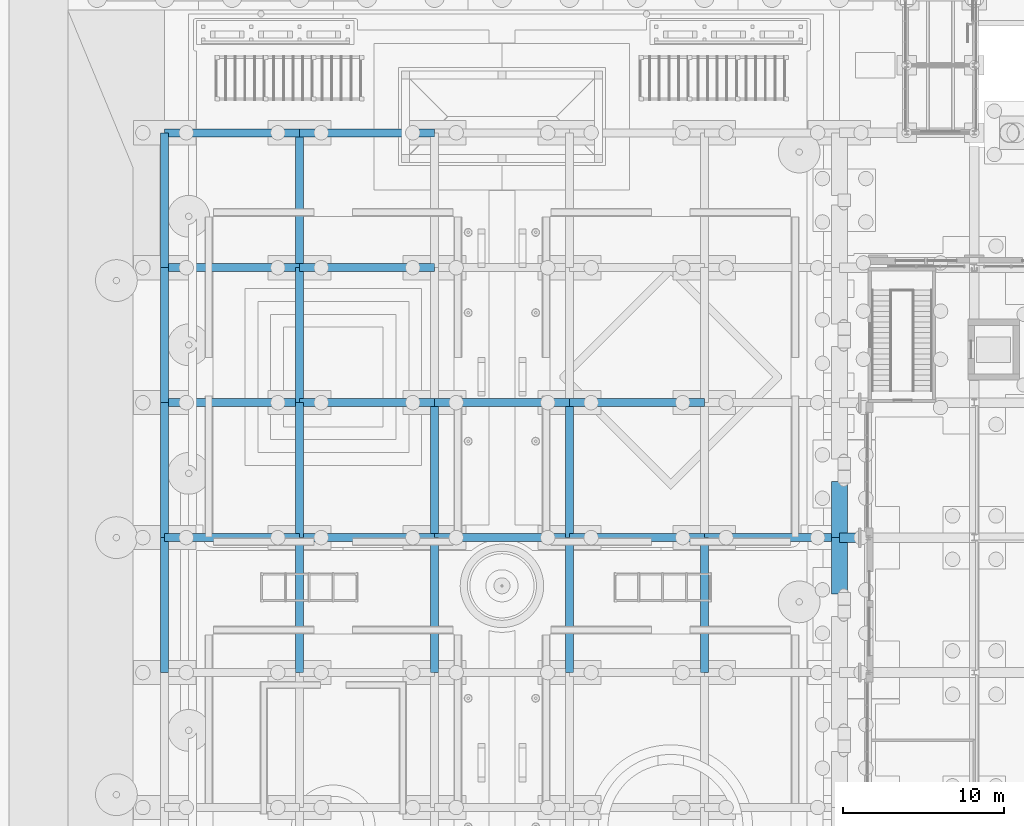
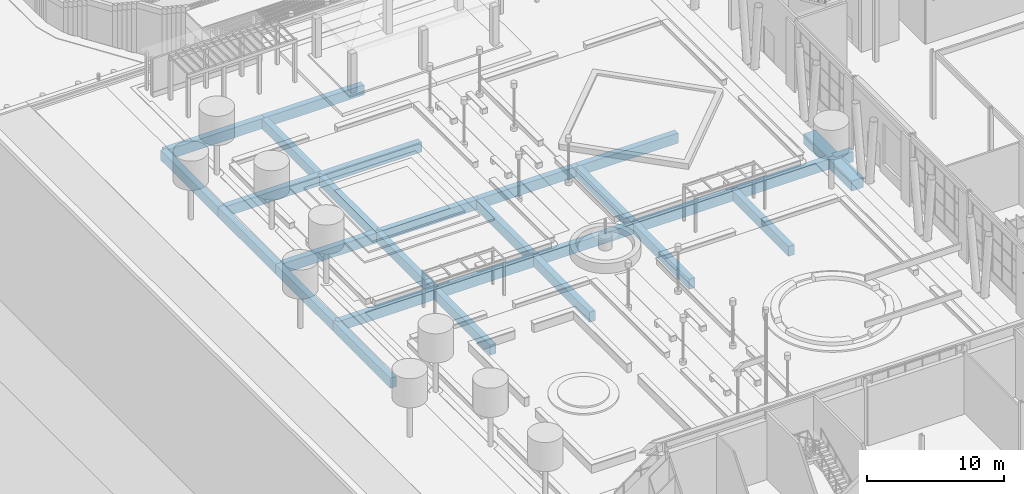
# One storey, part 46 of 222: 29 beams.
"""IFC4 building model written with IfcOpenShell, lengths in metres."""

from ifc_helpers import new_model, si_unit, direction, frame, origin, origin_2d, place, context, subcontext, project, spatial, rectangle, extrude, material, material_profile, profile_set, type_object, element, save


model = new_model("IFC4")

# Units and contexts
model_context = context("Model", 3, precision=1e-05, world=origin(), true_north=direction((0.0, 1.0)))
body_context = subcontext(model_context, "Body", "Model", "MODEL_VIEW")
ifc_project = project(units=[si_unit("LENGTHUNIT", "METRE"), si_unit("AREAUNIT", "SQUARE_METRE"), si_unit("VOLUMEUNIT", "CUBIC_METRE"), si_unit("PLANEANGLEUNIT", "RADIAN"), si_unit("MASSUNIT", "GRAM", prefix="KILO")], contexts=[model_context])

# Site, building, storey
site_placement = place(None, origin())
site = spatial("IfcSite", under=ifc_project, at=site_placement, CompositionType="ELEMENT")
building_placement = place(site_placement, origin())
building = spatial("IfcBuilding", under=site, at=building_placement, Name="Sava Quay Ferry Terminal", CompositionType="ELEMENT")
storey_placement = place(building_placement, origin())
storey = spatial("IfcBuildingStorey", under=building, at=storey_placement, Name="L00", CompositionType="ELEMENT", Elevation=0.0)

# Beams
ifc_material_1 = material(Name="Concrete C40/50", Category="concrete")
ifc_material_profile_1 = material_profile(ifc_material_1, rectangle(XDim=1.0, YDim=0.89990234375, at=origin_2d()), Name="RC 1000x900")
ifc_profile_set_1 = profile_set([ifc_material_profile_1], Name="Concrete C40/50")
beam_type_1 = type_object("IfcBeamType", Name="RC deck beam 1000x900", PredefinedType="BEAM", material=ifc_profile_set_1)
for number, where, z_axis, x_axis, name in (
    (1, (42.0, 80.5, -0.89990234375), (0.0, 1.0, 0.0), (-1.0, 0.0, 0.0), "Deck beam Y42-75.6"),
    (2, (42.0, 84.0, -0.89990234375), (0.0, 1.0, 0.0), (-1.0, 0.0, 0.0), "Deck beam Y42-84"),
):
    element("IfcBeam", number, at=place(storey_placement, frame(where, z_axis=z_axis, x_axis=x_axis)), inside=storey, type_object=beam_type_1, Name=name, PredefinedType="BEAM", context=body_context, shape_type="SweptSolid", body=[
        extrude(rectangle(XDim=1.0, YDim=0.89990234375, at=origin_2d()), origin(), (0.0, 0.0, 1.0), 3.5),
    ])
ifc_material_2 = material(Name="Concrete C40/50", Category="concrete")
ifc_material_profile_2 = material_profile(ifc_material_2, rectangle(XDim=0.5, YDim=0.89990234375, at=origin_2d()), Name="RC 500x900")
ifc_profile_set_2 = profile_set([ifc_material_profile_2], Name="Concrete C40/50")
beam_type_2 = type_object("IfcBeamType", Name="RC deck beam 500x900", PredefinedType="BEAM", material=ifc_profile_set_2)
beam_1_placement = place(storey_placement, frame((0.0, 84.0, -0.89990234375), z_axis=(1.0, 0.0, 0.0), x_axis=(0.0, 1.0, 0.0)))
element("IfcBeam", 3, at=beam_1_placement, inside=storey, type_object=beam_type_2, Name="Deck beam X84-0", PredefinedType="BEAM", context=body_context, shape_type="SweptSolid", body=[
    extrude(rectangle(XDim=0.5, YDim=0.89990234375, at=origin_2d()), origin(), (0.0, 0.0, 1.0), 8.39990234375),
])
beam_2_placement = place(storey_placement, frame((8.39990234375, 84.0, -0.89990234375), z_axis=(1.0, 0.0, 0.0), x_axis=(0.0, 1.0, 0.0)))
element("IfcBeam", 4, at=beam_2_placement, inside=storey, type_object=beam_type_2, Name="Deck beam X84-8.4", PredefinedType="BEAM", context=body_context, shape_type="SweptSolid", body=[
    extrude(rectangle(XDim=0.5, YDim=0.89990234375, at=origin_2d()), origin(), (0.0, 0.0, 1.0), 8.400146484375),
])
beam_3_placement = place(storey_placement, frame((16.800048828125, 84.0, -0.89990234375), z_axis=(1.0, 0.0, 0.0), x_axis=(0.0, 1.0, 0.0)))
element("IfcBeam", 5, at=beam_3_placement, inside=storey, type_object=beam_type_2, Name="Deck beam X84-16.8", PredefinedType="BEAM", context=body_context, shape_type="SweptSolid", body=[
    extrude(rectangle(XDim=0.5, YDim=0.89990234375, at=origin_2d()), origin(), (0.0, 0.0, 1.0), 8.39990234375),
])
beam_4_placement = place(storey_placement, frame((25.199951171875, 84.0, -0.89990234375), z_axis=(1.0, 0.0, 0.0), x_axis=(0.0, 1.0, 0.0)))
element("IfcBeam", 6, at=beam_4_placement, inside=storey, type_object=beam_type_2, Name="Deck beam X84-25.2", PredefinedType="BEAM", context=body_context, shape_type="SweptSolid", body=[
    extrude(rectangle(XDim=0.5, YDim=0.89990234375, at=origin_2d()), origin(), (0.0, 0.0, 1.0), 8.400146484375),
])
for number, where, z_axis, x_axis, name in (
    (7, (33.60009765625, 84.0, -0.89990234375), (1.0, 0.0, 0.0), (0.0, 1.0, 0.0), "Deck beam X84-33.6"),
    (8, (0.0, 92.39990234375, -0.89990234375), (1.0, 0.0, 0.0), (0.0, 1.0, 0.0), "Deck beam X92.4-0"),
):
    element("IfcBeam", number, at=place(storey_placement, frame(where, z_axis=z_axis, x_axis=x_axis)), inside=storey, type_object=beam_type_2, Name=name, PredefinedType="BEAM", context=body_context, shape_type="SweptSolid", body=[
        extrude(rectangle(XDim=0.5, YDim=0.89990234375, at=origin_2d()), origin(), (0.0, 0.0, 1.0), 8.39990234375),
    ])
beam_5_placement = place(storey_placement, frame((8.39990234375, 92.39990234375, -0.89990234375), z_axis=(1.0, 0.0, 0.0), x_axis=(0.0, 1.0, 0.0)))
element("IfcBeam", 9, at=beam_5_placement, inside=storey, type_object=beam_type_2, Name="Deck beam X92.4-8.4", PredefinedType="BEAM", context=body_context, shape_type="SweptSolid", body=[
    extrude(rectangle(XDim=0.5, YDim=0.89990234375, at=origin_2d()), origin(), (0.0, 0.0, 1.0), 8.400146484375),
])
beam_6_placement = place(storey_placement, frame((16.800048828125, 92.39990234375, -0.89990234375), z_axis=(1.0, 0.0, 0.0), x_axis=(0.0, 1.0, 0.0)))
element("IfcBeam", 10, at=beam_6_placement, inside=storey, type_object=beam_type_2, Name="Deck beam X92.4-16.8", PredefinedType="BEAM", context=body_context, shape_type="SweptSolid", body=[
    extrude(rectangle(XDim=0.5, YDim=0.89990234375, at=origin_2d()), origin(), (0.0, 0.0, 1.0), 8.39990234375),
])
beam_7_placement = place(storey_placement, frame((25.199951171875, 92.39990234375, -0.89990234375), z_axis=(1.0, 0.0, 0.0), x_axis=(0.0, 1.0, 0.0)))
element("IfcBeam", 11, at=beam_7_placement, inside=storey, type_object=beam_type_2, Name="Deck beam X92.4-25.2", PredefinedType="BEAM", context=body_context, shape_type="SweptSolid", body=[
    extrude(rectangle(XDim=0.5, YDim=0.89990234375, at=origin_2d()), origin(), (0.0, 0.0, 1.0), 8.400146484375),
])
beam_8_placement = place(storey_placement, frame((0.0, 100.800048828125, -0.89990234375), z_axis=(1.0, 0.0, 0.0), x_axis=(0.0, 1.0, 0.0)))
element("IfcBeam", 12, at=beam_8_placement, inside=storey, type_object=beam_type_2, Name="Deck beam X100.8-0", PredefinedType="BEAM", context=body_context, shape_type="SweptSolid", body=[
    extrude(rectangle(XDim=0.5, YDim=0.89990234375, at=origin_2d()), origin(), (0.0, 0.0, 1.0), 8.39990234375),
])
beam_9_placement = place(storey_placement, frame((8.39990234375, 100.800048828125, -0.89990234375), z_axis=(1.0, 0.0, 0.0), x_axis=(0.0, 1.0, 0.0)))
element("IfcBeam", 13, at=beam_9_placement, inside=storey, type_object=beam_type_2, Name="Deck beam X100.8-8.4", PredefinedType="BEAM", context=body_context, shape_type="SweptSolid", body=[
    extrude(rectangle(XDim=0.5, YDim=0.89990234375, at=origin_2d()), origin(), (0.0, 0.0, 1.0), 8.400146484375),
])
beam_10_placement = place(storey_placement, frame((0.0, 109.199951171875, -0.89990234375), z_axis=(1.0, 0.0, 0.0), x_axis=(0.0, 1.0, 0.0)))
element("IfcBeam", 14, at=beam_10_placement, inside=storey, type_object=beam_type_2, Name="Deck beam X109.2-0", PredefinedType="BEAM", context=body_context, shape_type="SweptSolid", body=[
    extrude(rectangle(XDim=0.5, YDim=0.89990234375, at=origin_2d()), origin(), (0.0, 0.0, 1.0), 8.39990234375),
])
beam_11_placement = place(storey_placement, frame((8.39990234375, 109.199951171875, -0.89990234375), z_axis=(1.0, 0.0, 0.0), x_axis=(0.0, 1.0, 0.0)))
element("IfcBeam", 15, at=beam_11_placement, inside=storey, type_object=beam_type_2, Name="Deck beam X109.2-8.4", PredefinedType="BEAM", context=body_context, shape_type="SweptSolid", body=[
    extrude(rectangle(XDim=0.5, YDim=0.89990234375, at=origin_2d()), origin(), (0.0, 0.0, 1.0), 8.400146484375),
])
for number, where, z_axis, x_axis, name in (
    (16, (0.0, 75.60009765625, -0.89990234375), (0.0, 1.0, 0.0), (-1.0, 0.0, 0.0), "Deck beam Y0-75.6"),
    (17, (0.0, 84.0, -0.89990234375), (0.0, 1.0, 0.0), (-1.0, 0.0, 0.0), "Deck beam Y0-84"),
):
    element("IfcBeam", number, at=place(storey_placement, frame(where, z_axis=z_axis, x_axis=x_axis)), inside=storey, type_object=beam_type_2, Name=name, PredefinedType="BEAM", context=body_context, shape_type="SweptSolid", body=[
        extrude(rectangle(XDim=0.5, YDim=0.89990234375, at=origin_2d()), origin(), (0.0, 0.0, 1.0), 8.39990234375),
    ])
beam_12_placement = place(storey_placement, frame((0.0, 92.39990234375, -0.89990234375), z_axis=(0.0, 1.0, 0.0), x_axis=(-1.0, 0.0, 0.0)))
element("IfcBeam", 18, at=beam_12_placement, inside=storey, type_object=beam_type_2, Name="Deck beam Y0-92.4", PredefinedType="BEAM", context=body_context, shape_type="SweptSolid", body=[
    extrude(rectangle(XDim=0.5, YDim=0.89990234375, at=origin_2d()), origin(), (0.0, 0.0, 1.0), 8.400146484375),
])
for number, where, z_axis, x_axis, name in (
    (19, (0.0, 100.800048828125, -0.89990234375), (0.0, 1.0, 0.0), (-1.0, 0.0, 0.0), "Deck beam Y0-100.8"),
    (20, (8.39990234375, 75.60009765625, -0.89990234375), (0.0, 1.0, 0.0), (-1.0, 0.0, 0.0), "Deck beam Y8.4-75.6"),
    (21, (8.39990234375, 84.0, -0.89990234375), (0.0, 1.0, 0.0), (-1.0, 0.0, 0.0), "Deck beam Y8.4-84"),
):
    element("IfcBeam", number, at=place(storey_placement, frame(where, z_axis=z_axis, x_axis=x_axis)), inside=storey, type_object=beam_type_2, Name=name, PredefinedType="BEAM", context=body_context, shape_type="SweptSolid", body=[
        extrude(rectangle(XDim=0.5, YDim=0.89990234375, at=origin_2d()), origin(), (0.0, 0.0, 1.0), 8.39990234375),
    ])
beam_13_placement = place(storey_placement, frame((8.39990234375, 92.39990234375, -0.89990234375), z_axis=(0.0, 1.0, 0.0), x_axis=(-1.0, 0.0, 0.0)))
element("IfcBeam", 22, at=beam_13_placement, inside=storey, type_object=beam_type_2, Name="Deck beam Y8.4-92.4", PredefinedType="BEAM", context=body_context, shape_type="SweptSolid", body=[
    extrude(rectangle(XDim=0.5, YDim=0.89990234375, at=origin_2d()), origin(), (0.0, 0.0, 1.0), 8.400146484375),
])
for number, where, z_axis, x_axis, name in (
    (23, (8.39990234375, 100.800048828125, -0.89990234375), (0.0, 1.0, 0.0), (-1.0, 0.0, 0.0), "Deck beam Y8.4-100.8"),
    (24, (16.800048828125, 75.60009765625, -0.89990234375), (0.0, 1.0, 0.0), (-1.0, 0.0, 0.0), "Deck beam Y16.8-75.6"),
    (25, (16.800048828125, 84.0, -0.89990234375), (0.0, 1.0, 0.0), (-1.0, 0.0, 0.0), "Deck beam Y16.8-84"),
    (26, (25.199951171875, 75.60009765625, -0.89990234375), (0.0, 1.0, 0.0), (-1.0, 0.0, 0.0), "Deck beam Y25.2-75.6"),
    (27, (25.199951171875, 84.0, -0.89990234375), (0.0, 1.0, 0.0), (-1.0, 0.0, 0.0), "Deck beam Y25.2-84"),
    (28, (33.60009765625, 75.60009765625, -0.89990234375), (0.0, 1.0, 0.0), (-1.0, 0.0, 0.0), "Deck beam Y33.6-75.6"),
):
    element("IfcBeam", number, at=place(storey_placement, frame(where, z_axis=z_axis, x_axis=x_axis)), inside=storey, type_object=beam_type_2, Name=name, PredefinedType="BEAM", context=body_context, shape_type="SweptSolid", body=[
        extrude(rectangle(XDim=0.5, YDim=0.89990234375, at=origin_2d()), origin(), (0.0, 0.0, 1.0), 8.39990234375),
    ])
ifc_material_3 = material(Name="Concrete C40/50", Category="concrete")
ifc_material_profile_3 = material_profile(ifc_material_3, rectangle(XDim=0.60009765625, YDim=0.89990234375, at=origin_2d()), Name="RC 600x900")
ifc_profile_set_3 = profile_set([ifc_material_profile_3], Name="Concrete C40/50")
beam_type_3 = type_object("IfcBeamType", Name="RC deck beam 600x900", PredefinedType="BEAM", material=ifc_profile_set_3)
beam_14_placement = place(storey_placement, frame((42.0, 84.0, -0.89990234375), z_axis=(1.0, 0.0, 0.0), x_axis=(0.0, 1.0, 0.0)))
element("IfcBeam", 29, at=beam_14_placement, inside=storey, type_object=beam_type_3, Name="Deck beam X84-42", PredefinedType="BEAM", context=body_context, shape_type="SweptSolid", body=[
    extrude(rectangle(XDim=0.60009765625, YDim=0.89990234375, at=origin_2d()), origin(), (0.0, 0.0, 1.0), 1.5),
])

save(model, "model.ifc")
